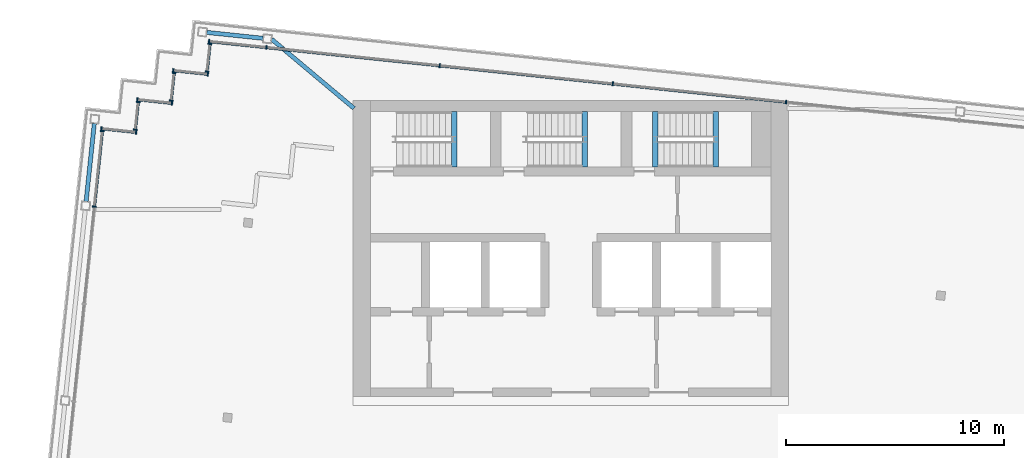
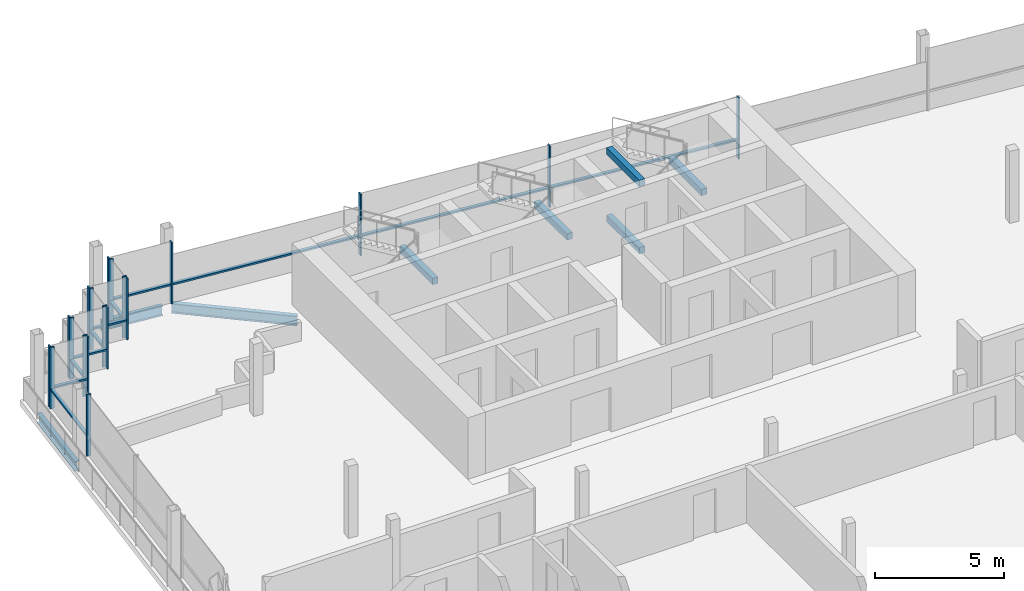
# One storey, part 7 of 15: 30 members, 8 beams, 8 elements without a shape of their own.
"""IFC4 building model written with IfcOpenShell, lengths in metres."""

from ifc_helpers import new_model, si_unit, direction, frame, origin, origin_2d, place, context, subcontext, project, spatial, rectangle, i_section, extrude, material, material_profile, profile_set, type_object, element, aggregate, save


model = new_model("IFC4")

# Units and contexts
model_context = context("Model", 3, precision=1e-05, world=origin(), true_north=direction((0.0, 1.0)))
body_context = subcontext(model_context, "Body", "Model", "MODEL_VIEW")
ifc_project = project(units=[si_unit("LENGTHUNIT", "METRE"), si_unit("AREAUNIT", "SQUARE_METRE"), si_unit("VOLUMEUNIT", "CUBIC_METRE"), si_unit("PLANEANGLEUNIT", "RADIAN"), si_unit("MASSUNIT", "GRAM", prefix="KILO")], contexts=[model_context])

# Site, building, storey
site_placement = place(None, origin())
site = spatial("IfcSite", under=ifc_project, at=site_placement, CompositionType="ELEMENT")
building_placement = place(site_placement, origin())
building = spatial("IfcBuilding", under=site, at=building_placement, Name="Vidyagriha Tower", CompositionType="ELEMENT")
storey_placement = place(building_placement, frame((0.0, 0.0, 298.300048828125)))
storey = spatial("IfcBuildingStorey", under=building, at=storey_placement, Name="L77", CompositionType="ELEMENT", Elevation=298.300048828125)

# Beams
ifc_material_1 = material(Name="Steel ASTM A992 Grade 50", Category="steel")
ifc_material_profile_1 = material_profile(ifc_material_1, i_section(OverallWidth=0.19189453125, OverallDepth=0.46240234375, WebThickness=0.010498046875, FlangeThickness=0.017578125, at=origin_2d()), Name="W18X60")
ifc_profile_set_1 = profile_set([ifc_material_profile_1], Name="Steel ASTM A992 Grade 50")
beam_type_1 = type_object("IfcBeamType", Name="Edge beam W18X60", PredefinedType="SPANDREL", material=ifc_profile_set_1)
beam_1_placement = place(storey_placement, frame((-22.269287109375, 15.372802734375, -0.51123046875), z_axis=(0.104578872801, 0.994516595821, 0.0), x_axis=(-0.994516595821, 0.104578872801, 0.0)))
element("IfcBeam", 1, at=beam_1_placement, inside=storey, type_object=beam_type_1, Name="st-beam-L77-W12", PredefinedType="SPANDREL", context=body_context, shape_type="SweptSolid", body=[
    extrude(i_section(OverallWidth=0.19189453125, OverallDepth=0.46240234375, WebThickness=0.010498046875, FlangeThickness=0.017578125, at=origin_2d()), origin(), (0.0, 0.0, 1.0), 3.599853515625),
])
beam_2_placement = place(storey_placement, frame((-16.727294921875, 23.135986328125, -0.51123046875), z_axis=(0.994523446942, -0.104513699976, 0.0), x_axis=(0.104513699976, 0.994523446942, 0.0)))
element("IfcBeam", 2, at=beam_2_placement, inside=storey, type_object=beam_type_1, Name="st-beam-L77-NW18", PredefinedType="SPANDREL", context=body_context, shape_type="SweptSolid", body=[
    extrude(i_section(OverallWidth=0.19189453125, OverallDepth=0.46240234375, WebThickness=0.010498046875, FlangeThickness=0.017578125, at=origin_2d()), origin(), (0.0, 0.0, 1.0), 2.599853515625),
])
beam_3_placement = place(storey_placement, frame((-13.743896484375, 22.822509765625, -0.51123046875), z_axis=(0.76590463898, -0.642954184984, 0.0), x_axis=(0.642954184984, 0.76590463898, 0.0)))
element("IfcBeam", 3, at=beam_3_placement, inside=storey, type_object=beam_type_1, Name="st-beam-L77-NC21", PredefinedType="SPANDREL", context=body_context, shape_type="SweptSolid", body=[
    extrude(i_section(OverallWidth=0.19189453125, OverallDepth=0.46240234375, WebThickness=0.010498046875, FlangeThickness=0.017578125, at=origin_2d()), origin(), (0.0, 0.0, 1.0), 4.934326171875),
])

# Curtain wall, members
ifc_material_2 = material(Name="Aluminium and glass curtain wall", Category="aluminium")
curtain_wall_type = type_object("IfcCurtainWallType", Name="Lantern glazing wall", PredefinedType="USERDEFINED", material=ifc_material_2)
curtain_wall_1_placement = place(storey_placement, origin())
curtain_wall_1 = element("IfcCurtainWall", 4, at=curtain_wall_1_placement, inside=storey, type_object=curtain_wall_type, Name="CW4 lantern glazing", ObjectType="STICK GLAZING", PredefinedType="USERDEFINED")
ifc_material_3 = material(Name="Aluminium black anodised", Category="aluminium")
ifc_material_profile_2 = material_profile(ifc_material_3, rectangle(XDim=0.179931640625, YDim=0.06005859375, at=origin_2d()), Name="Mullion 60x180 black aluminium")
ifc_profile_set_2 = profile_set([ifc_material_profile_2], Name="Aluminium black anodised")
member_type_1 = type_object("IfcMemberType", Name="Mullion 60x180 black aluminium", PredefinedType="MULLION", material=ifc_profile_set_2)
member_1_placement = place(storey_placement, frame((9.884033203125, 19.936767578125, 0.0), z_axis=(0.0, 0.0, 1.0), x_axis=(-0.104528022383, -0.994521941707, 0.0)))
member_1 = element("IfcMember", 5, at=member_1_placement, type_object=member_type_1, Name="CW4 mullion 4", PredefinedType="MULLION", context=body_context, shape_type="SweptSolid", body=[
    extrude(rectangle(XDim=0.179931640625, YDim=0.06005859375, at=origin_2d()), origin(), (0.0, 0.0, 1.0), 2.89990234375),
])
member_2_placement = place(storey_placement, frame((1.927978515625, 20.77294921875, 0.0), z_axis=(0.0, 0.0, 1.0), x_axis=(-0.104528022383, -0.994521941707, 0.0)))
member_2 = element("IfcMember", 6, at=member_2_placement, type_object=member_type_1, Name="CW4 mullion 5", PredefinedType="MULLION", context=body_context, shape_type="SweptSolid", body=[
    extrude(rectangle(XDim=0.179931640625, YDim=0.06005859375, at=origin_2d()), origin(), (0.0, 0.0, 1.0), 2.89990234375),
])
member_3_placement = place(storey_placement, frame((-6.0283203125, 21.609130859375, 0.0), z_axis=(0.0, 0.0, 1.0), x_axis=(-0.104528022383, -0.994521941707, 0.0)))
member_3 = element("IfcMember", 7, at=member_3_placement, type_object=member_type_1, Name="CW4 mullion 6", PredefinedType="MULLION", context=body_context, shape_type="SweptSolid", body=[
    extrude(rectangle(XDim=0.179931640625, YDim=0.06005859375, at=origin_2d()), origin(), (0.0, 0.0, 1.0), 2.89990234375),
])
member_4_placement = place(storey_placement, frame((-13.984619140625, 22.445556640625, 0.0), z_axis=(0.0, 0.0, 1.0), x_axis=(-0.104528022383, -0.994521941707, 0.0)))
member_4 = element("IfcMember", 8, at=member_4_placement, type_object=member_type_1, Name="CW4 mullion 7", PredefinedType="MULLION", context=body_context, shape_type="SweptSolid", body=[
    extrude(rectangle(XDim=0.179931640625, YDim=0.06005859375, at=origin_2d()), origin(), (0.0, 0.0, 1.0), 2.89990234375),
])
member_5_placement = place(storey_placement, frame((-16.6201171875, 22.722412109375, 0.0), z_axis=(0.0, 0.0, 1.0), x_axis=(-0.104528022383, -0.994521941707, 0.0)))
member_5 = element("IfcMember", 9, at=member_5_placement, type_object=member_type_1, Name="CW4 mullion 8", PredefinedType="MULLION", context=body_context, shape_type="SweptSolid", body=[
    extrude(rectangle(XDim=0.179931640625, YDim=0.06005859375, at=origin_2d()), origin(), (0.0, 0.0, 1.0), 2.89990234375),
])

curtain_wall_2_placement = place(storey_placement, origin())
curtain_wall_2 = element("IfcCurtainWall", 10, at=curtain_wall_2_placement, inside=storey, type_object=curtain_wall_type, Name="CW4 lantern glazing", ObjectType="STICK GLAZING", PredefinedType="USERDEFINED")
member_6_placement = place(storey_placement, frame((-16.581787109375, 22.60791015625, 0.0), z_axis=(0.0, 0.0, 1.0), x_axis=(0.994519755162, -0.104548823962, 0.0)))
member_6 = element("IfcMember", 11, at=member_6_placement, type_object=member_type_1, Name="CW4 mullion 1", PredefinedType="MULLION", context=body_context, shape_type="SweptSolid", body=[
    extrude(rectangle(XDim=0.179931640625, YDim=0.06005859375, at=origin_2d()), origin(), (0.0, 0.0, 1.0), 2.89990234375),
])
member_7_placement = place(storey_placement, frame((-16.715576171875, 21.334716796875, 0.0), z_axis=(0.0, 0.0, 1.0), x_axis=(0.994519755162, -0.104548823962, 0.0)))
member_7 = element("IfcMember", 12, at=member_7_placement, type_object=member_type_1, Name="CW4 mullion 2", PredefinedType="MULLION", context=body_context, shape_type="SweptSolid", body=[
    extrude(rectangle(XDim=0.179931640625, YDim=0.06005859375, at=origin_2d()), origin(), (0.0, 0.0, 1.0), 2.89990234375),
])

curtain_wall_3_placement = place(storey_placement, origin())
curtain_wall_3 = element("IfcCurtainWall", 13, at=curtain_wall_3_placement, inside=storey, type_object=curtain_wall_type, Name="CW4 lantern glazing", ObjectType="STICK GLAZING", PredefinedType="USERDEFINED")
member_8_placement = place(storey_placement, frame((-16.67724609375, 21.22021484375, 0.0), z_axis=(0.0, 0.0, 1.0), x_axis=(-0.104518583201, -0.994522933756, 0.0)))
member_8 = element("IfcMember", 14, at=member_8_placement, type_object=member_type_1, Name="CW4 mullion 1", PredefinedType="MULLION", context=body_context, shape_type="SweptSolid", body=[
    extrude(rectangle(XDim=0.179931640625, YDim=0.06005859375, at=origin_2d()), origin(), (0.0, 0.0, 1.0), 2.89990234375),
])
member_9_placement = place(storey_placement, frame((-18.2685546875, 21.387451171875, 0.0), z_axis=(0.0, 0.0, 1.0), x_axis=(-0.104518583201, -0.994522933756, 0.0)))
member_9 = element("IfcMember", 15, at=member_9_placement, type_object=member_type_1, Name="CW4 mullion 2", PredefinedType="MULLION", context=body_context, shape_type="SweptSolid", body=[
    extrude(rectangle(XDim=0.179931640625, YDim=0.06005859375, at=origin_2d()), origin(), (0.0, 0.0, 1.0), 2.89990234375),
])

curtain_wall_4_placement = place(storey_placement, origin())
curtain_wall_4 = element("IfcCurtainWall", 16, at=curtain_wall_4_placement, inside=storey, type_object=curtain_wall_type, Name="CW4 lantern glazing", ObjectType="STICK GLAZING", PredefinedType="USERDEFINED")
member_10_placement = place(storey_placement, frame((-18.230224609375, 21.27294921875, 0.0), z_axis=(0.0, 0.0, 1.0), x_axis=(0.994519755162, -0.104548823962, 0.0)))
member_10 = element("IfcMember", 17, at=member_10_placement, type_object=member_type_1, Name="CW4 mullion 1", PredefinedType="MULLION", context=body_context, shape_type="SweptSolid", body=[
    extrude(rectangle(XDim=0.179931640625, YDim=0.06005859375, at=origin_2d()), origin(), (0.0, 0.0, 1.0), 2.89990234375),
])
member_11_placement = place(storey_placement, frame((-18.3642578125, 19.999755859375, 0.0), z_axis=(0.0, 0.0, 1.0), x_axis=(0.994519755162, -0.104548823962, 0.0)))
member_11 = element("IfcMember", 18, at=member_11_placement, type_object=member_type_1, Name="CW4 mullion 2", PredefinedType="MULLION", context=body_context, shape_type="SweptSolid", body=[
    extrude(rectangle(XDim=0.179931640625, YDim=0.06005859375, at=origin_2d()), origin(), (0.0, 0.0, 1.0), 2.89990234375),
])

curtain_wall_5_placement = place(storey_placement, origin())
curtain_wall_5 = element("IfcCurtainWall", 19, at=curtain_wall_5_placement, inside=storey, type_object=curtain_wall_type, Name="CW4 lantern glazing", ObjectType="STICK GLAZING", PredefinedType="USERDEFINED")
member_12_placement = place(storey_placement, frame((-18.325927734375, 19.88525390625, 0.0), z_axis=(0.0, 0.0, 1.0), x_axis=(-0.104512321721, -0.994523591781, 0.0)))
member_12 = element("IfcMember", 20, at=member_12_placement, type_object=member_type_1, Name="CW4 mullion 1", PredefinedType="MULLION", context=body_context, shape_type="SweptSolid", body=[
    extrude(rectangle(XDim=0.179931640625, YDim=0.06005859375, at=origin_2d()), origin(), (0.0, 0.0, 1.0), 2.89990234375),
])
member_13_placement = place(storey_placement, frame((-19.917236328125, 20.052490234375, 0.0), z_axis=(0.0, 0.0, 1.0), x_axis=(-0.104512321721, -0.994523591781, 0.0)))
member_13 = element("IfcMember", 21, at=member_13_placement, type_object=member_type_1, Name="CW4 mullion 2", PredefinedType="MULLION", context=body_context, shape_type="SweptSolid", body=[
    extrude(rectangle(XDim=0.179931640625, YDim=0.06005859375, at=origin_2d()), origin(), (0.0, 0.0, 1.0), 2.89990234375),
])

curtain_wall_6_placement = place(storey_placement, origin())
curtain_wall_6 = element("IfcCurtainWall", 22, at=curtain_wall_6_placement, inside=storey, type_object=curtain_wall_type, Name="CW4 lantern glazing", ObjectType="STICK GLAZING", PredefinedType="USERDEFINED")
member_14_placement = place(storey_placement, frame((-19.87890625, 19.937744140625, 0.0), z_axis=(0.0, 0.0, 1.0), x_axis=(0.994518123441, -0.10456434453, 0.0)))
member_14 = element("IfcMember", 23, at=member_14_placement, type_object=member_type_1, Name="CW4 mullion 1", PredefinedType="MULLION", context=body_context, shape_type="SweptSolid", body=[
    extrude(rectangle(XDim=0.179931640625, YDim=0.06005859375, at=origin_2d()), origin(), (0.0, 0.0, 1.0), 2.89990234375),
])
member_15_placement = place(storey_placement, frame((-20.0126953125, 18.6650390625, 0.0), z_axis=(0.0, 0.0, 1.0), x_axis=(0.994518123441, -0.10456434453, 0.0)))
member_15 = element("IfcMember", 24, at=member_15_placement, type_object=member_type_1, Name="CW4 mullion 2", PredefinedType="MULLION", context=body_context, shape_type="SweptSolid", body=[
    extrude(rectangle(XDim=0.179931640625, YDim=0.06005859375, at=origin_2d()), origin(), (0.0, 0.0, 1.0), 2.89990234375),
])

curtain_wall_7_placement = place(storey_placement, origin())
curtain_wall_7 = element("IfcCurtainWall", 25, at=curtain_wall_7_placement, inside=storey, type_object=curtain_wall_type, Name="CW4 lantern glazing", ObjectType="STICK GLAZING", PredefinedType="USERDEFINED")
member_16_placement = place(storey_placement, frame((-19.974365234375, 18.550537109375, 0.0), z_axis=(0.0, 0.0, 1.0), x_axis=(-0.104452741485, -0.994529851134, 0.0)))
member_16 = element("IfcMember", 26, at=member_16_placement, type_object=member_type_1, Name="CW4 mullion 1", PredefinedType="MULLION", context=body_context, shape_type="SweptSolid", body=[
    extrude(rectangle(XDim=0.179931640625, YDim=0.06005859375, at=origin_2d()), origin(), (0.0, 0.0, 1.0), 2.89990234375),
])
member_17_placement = place(storey_placement, frame((-21.565673828125, 18.717529296875, 0.0), z_axis=(0.0, 0.0, 1.0), x_axis=(-0.104452741485, -0.994529851134, 0.0)))
member_17 = element("IfcMember", 27, at=member_17_placement, type_object=member_type_1, Name="CW4 mullion 2", PredefinedType="MULLION", context=body_context, shape_type="SweptSolid", body=[
    extrude(rectangle(XDim=0.179931640625, YDim=0.06005859375, at=origin_2d()), origin(), (0.0, 0.0, 1.0), 2.89990234375),
])

curtain_wall_8_placement = place(storey_placement, origin())
curtain_wall_8 = element("IfcCurtainWall", 28, at=curtain_wall_8_placement, inside=storey, type_object=curtain_wall_type, Name="CW4 lantern glazing", ObjectType="STICK GLAZING", PredefinedType="USERDEFINED")
member_18_placement = place(storey_placement, frame((-21.527587890625, 18.602783203125, 0.0), z_axis=(0.0, 0.0, 1.0), x_axis=(0.994522018715, -0.104527289697, 0.0)))
member_18 = element("IfcMember", 29, at=member_18_placement, type_object=member_type_1, Name="CW4 mullion 1", PredefinedType="MULLION", context=body_context, shape_type="SweptSolid", body=[
    extrude(rectangle(XDim=0.179931640625, YDim=0.06005859375, at=origin_2d()), origin(), (0.0, 0.0, 1.0), 2.89990234375),
])
member_19_placement = place(storey_placement, frame((-21.892333984375, 15.132080078125, 0.0), z_axis=(0.0, 0.0, 1.0), x_axis=(0.994522018715, -0.104527289697, 0.0)))
member_19 = element("IfcMember", 30, at=member_19_placement, type_object=member_type_1, Name="CW4 mullion 2", PredefinedType="MULLION", context=body_context, shape_type="SweptSolid", body=[
    extrude(rectangle(XDim=0.179931640625, YDim=0.06005859375, at=origin_2d()), origin(), (0.0, 0.0, 1.0), 2.89990234375),
])

# Beams
ifc_material_4 = material(Name="Concrete C40/50", Category="concrete")
ifc_material_profile_3 = material_profile(ifc_material_4, rectangle(XDim=0.25, YDim=0.300048828125, at=origin_2d()), Name="Stair landing bearing beam 250x300")
ifc_profile_set_3 = profile_set([ifc_material_profile_3], Name="Concrete C40/50")
beam_type_2 = type_object("IfcBeamType", Name="Stair landing bearing beam 250x300", PredefinedType="BEAM", material=ifc_profile_set_3)
for number, where, z_axis, x_axis, name in (
    (31, (3.875, 16.949951171875, -0.429931640625), (0.0, 1.0, 0.0), (-1.0, 0.0, 0.0), "ST3 floor landing bearing beam L77"),
    (32, (3.875, 16.949951171875, 2.75), (0.0, 1.0, 0.0), (-1.0, 0.0, 0.0), "ST3 floor landing bearing beam L78"),
    (33, (-5.35498046875, 16.949951171875, 1.349853515625), (0.0, 1.0, 0.0), (-1.0, 0.0, 0.0), "ST1 landing bearing beam L77"),
    (34, (0.64501953125, 16.949951171875, 1.349853515625), (0.0, 1.0, 0.0), (-1.0, 0.0, 0.0), "ST2 landing bearing beam L77"),
    (35, (6.64501953125, 16.949951171875, 1.349853515625), (0.0, 1.0, 0.0), (-1.0, 0.0, 0.0), "ST3 landing bearing beam L77"),
):
    element("IfcBeam", number, at=place(storey_placement, frame(where, z_axis=z_axis, x_axis=x_axis)), inside=storey, type_object=beam_type_2, Name=name, PredefinedType="BEAM", context=body_context, shape_type="SweptSolid", body=[
        extrude(rectangle(XDim=0.25, YDim=0.300048828125, at=origin_2d()), origin(), (0.0, 0.0, 1.0), 2.550048828125),
    ])

# Member
ifc_material_5 = material(Name="Aluminium black anodised", Category="aluminium")
ifc_material_profile_4 = material_profile(ifc_material_5, rectangle(XDim=0.139892578125, YDim=0.080078125, at=origin_2d()), Name="Transom 80x140 black aluminium")
ifc_profile_set_4 = profile_set([ifc_material_profile_4], Name="Aluminium black anodised")
member_type_2 = type_object("IfcMemberType", Name="Transom 80x140 black aluminium", PredefinedType="USERDEFINED", material=ifc_profile_set_4)
member_20_placement = place(storey_placement, frame((9.854248046875, 19.93994140625, 0.89990234375), z_axis=(-0.994523465953, 0.104513519069, 0.0), x_axis=(-0.104513519069, -0.994523465953, 0.0)))
member_20 = element("IfcMember", 36, at=member_20_placement, type_object=member_type_2, Name="CW4 transom 4.1", ObjectType="TRANSOM", PredefinedType="USERDEFINED", context=body_context, shape_type="SweptSolid", body=[
    extrude(rectangle(XDim=0.139892578125, YDim=0.080078125, at=origin_2d()), origin(), (0.0, 0.0, 1.0), 7.93994140625),
])

member_21_placement = place(storey_placement, frame((1.89794921875, 20.776123046875, 0.89990234375), z_axis=(-0.994520269484, 0.10454393137, 0.0), x_axis=(-0.10454393137, -0.994520269484, 0.0)))
member_21 = element("IfcMember", 37, at=member_21_placement, type_object=member_type_2, Name="CW4 transom 5.1", ObjectType="TRANSOM", PredefinedType="USERDEFINED", context=body_context, shape_type="SweptSolid", body=[
    extrude(rectangle(XDim=0.139892578125, YDim=0.080078125, at=origin_2d()), origin(), (0.0, 0.0, 1.0), 7.93994140625),
])

member_22_placement = place(storey_placement, frame((-6.05810546875, 21.6123046875, 0.89990234375), z_axis=(-0.994520269484, 0.10454393137, 0.0), x_axis=(-0.10454393137, -0.994520269484, 0.0)))
member_22 = element("IfcMember", 38, at=member_22_placement, type_object=member_type_2, Name="CW4 transom 6.1", ObjectType="TRANSOM", PredefinedType="USERDEFINED", context=body_context, shape_type="SweptSolid", body=[
    extrude(rectangle(XDim=0.139892578125, YDim=0.080078125, at=origin_2d()), origin(), (0.0, 0.0, 1.0), 7.93994140625),
])

member_23_placement = place(storey_placement, frame((-14.014404296875, 22.448486328125, 0.89990234375), z_axis=(-0.994521452323, 0.104532678478, 0.0), x_axis=(-0.104532678478, -0.994521452323, 0.0)))
member_23 = element("IfcMember", 39, at=member_23_placement, type_object=member_type_2, Name="CW4 transom 7.1", ObjectType="TRANSOM", PredefinedType="USERDEFINED", context=body_context, shape_type="SweptSolid", body=[
    extrude(rectangle(XDim=0.139892578125, YDim=0.080078125, at=origin_2d()), origin(), (0.0, 0.0, 1.0), 2.590087890625),
])

aggregate(curtain_wall_1, [member_1, member_2, member_3, member_4, member_5, member_20, member_21, member_22, member_23])

member_24_placement = place(storey_placement, frame((-16.5849609375, 22.578125, 0.89990234375), z_axis=(-0.104653535604, -0.994508741784, 0.0), x_axis=(0.994508741784, -0.104653535604, 0.0)))
member_24 = element("IfcMember", 40, at=member_24_placement, type_object=member_type_2, Name="CW4 transom 1.1", ObjectType="TRANSOM", PredefinedType="USERDEFINED", context=body_context, shape_type="SweptSolid", body=[
    extrude(rectangle(XDim=0.139892578125, YDim=0.080078125, at=origin_2d()), origin(), (0.0, 0.0, 1.0), 1.219970703125),
])

aggregate(curtain_wall_2, [member_6, member_7, member_24])

member_25_placement = place(storey_placement, frame((-16.707275390625, 21.223388671875, 0.89990234375), z_axis=(-0.994527149453, 0.104478461899, 0.0), x_axis=(-0.104478461899, -0.994527149453, 0.0)))
member_25 = element("IfcMember", 41, at=member_25_placement, type_object=member_type_2, Name="CW4 transom 1.1", ObjectType="TRANSOM", PredefinedType="USERDEFINED", context=body_context, shape_type="SweptSolid", body=[
    extrude(rectangle(XDim=0.139892578125, YDim=0.080078125, at=origin_2d()), origin(), (0.0, 0.0, 1.0), 1.5400390625),
])

aggregate(curtain_wall_3, [member_8, member_9, member_25])

member_26_placement = place(storey_placement, frame((-18.2333984375, 21.242919921875, 0.89990234375), z_axis=(-0.104674366152, -0.994506549536, 0.0), x_axis=(0.994506549536, -0.104674366152, 0.0)))
member_26 = element("IfcMember", 42, at=member_26_placement, type_object=member_type_2, Name="CW4 transom 1.1", ObjectType="TRANSOM", PredefinedType="USERDEFINED", context=body_context, shape_type="SweptSolid", body=[
    extrude(rectangle(XDim=0.139892578125, YDim=0.080078125, at=origin_2d()), origin(), (0.0, 0.0, 1.0), 1.2197265625),
])

aggregate(curtain_wall_4, [member_10, member_11, member_26])

member_27_placement = place(storey_placement, frame((-18.355712890625, 19.888427734375, 0.89990234375), z_axis=(-0.994527149453, 0.104478461899, 0.0), x_axis=(-0.104478461899, -0.994527149453, 0.0)))
member_27 = element("IfcMember", 43, at=member_27_placement, type_object=member_type_2, Name="CW4 transom 1.1", ObjectType="TRANSOM", PredefinedType="USERDEFINED", context=body_context, shape_type="SweptSolid", body=[
    extrude(rectangle(XDim=0.139892578125, YDim=0.080078125, at=origin_2d()), origin(), (0.0, 0.0, 1.0), 1.5400390625),
])

aggregate(curtain_wall_5, [member_12, member_13, member_27])

member_28_placement = place(storey_placement, frame((-19.882080078125, 19.907958984375, 0.89990234375), z_axis=(-0.104476410646, -0.994527364942, 0.0), x_axis=(0.994527364942, -0.104476410646, 0.0)))
member_28 = element("IfcMember", 44, at=member_28_placement, type_object=member_type_2, Name="CW4 transom 1.1", ObjectType="TRANSOM", PredefinedType="USERDEFINED", context=body_context, shape_type="SweptSolid", body=[
    extrude(rectangle(XDim=0.139892578125, YDim=0.080078125, at=origin_2d()), origin(), (0.0, 0.0, 1.0), 1.2197265625),
])

aggregate(curtain_wall_6, [member_14, member_15, member_28])

member_29_placement = place(storey_placement, frame((-20.004150390625, 18.553466796875, 0.89990234375), z_axis=(-0.994528879637, 0.104461991023, 0.0), x_axis=(-0.104461991023, -0.994528879637, 0.0)))
member_29 = element("IfcMember", 45, at=member_29_placement, type_object=member_type_2, Name="CW4 transom 1.1", ObjectType="TRANSOM", PredefinedType="USERDEFINED", context=body_context, shape_type="SweptSolid", body=[
    extrude(rectangle(XDim=0.139892578125, YDim=0.080078125, at=origin_2d()), origin(), (0.0, 0.0, 1.0), 1.540283203125),
])

aggregate(curtain_wall_7, [member_16, member_17, member_29])

member_30_placement = place(storey_placement, frame((-21.53076171875, 18.572998046875, 0.89990234375), z_axis=(-0.10449210926, -0.994525715657, 0.0), x_axis=(0.994525715657, -0.10449210926, 0.0)))
member_30 = element("IfcMember", 46, at=member_30_placement, type_object=member_type_2, Name="CW4 transom 1.1", ObjectType="TRANSOM", PredefinedType="USERDEFINED", context=body_context, shape_type="SweptSolid", body=[
    extrude(rectangle(XDim=0.139892578125, YDim=0.080078125, at=origin_2d()), origin(), (0.0, 0.0, 1.0), 3.429931640625),
])

aggregate(curtain_wall_8, [member_18, member_19, member_30])

save(model, "model.ifc")
